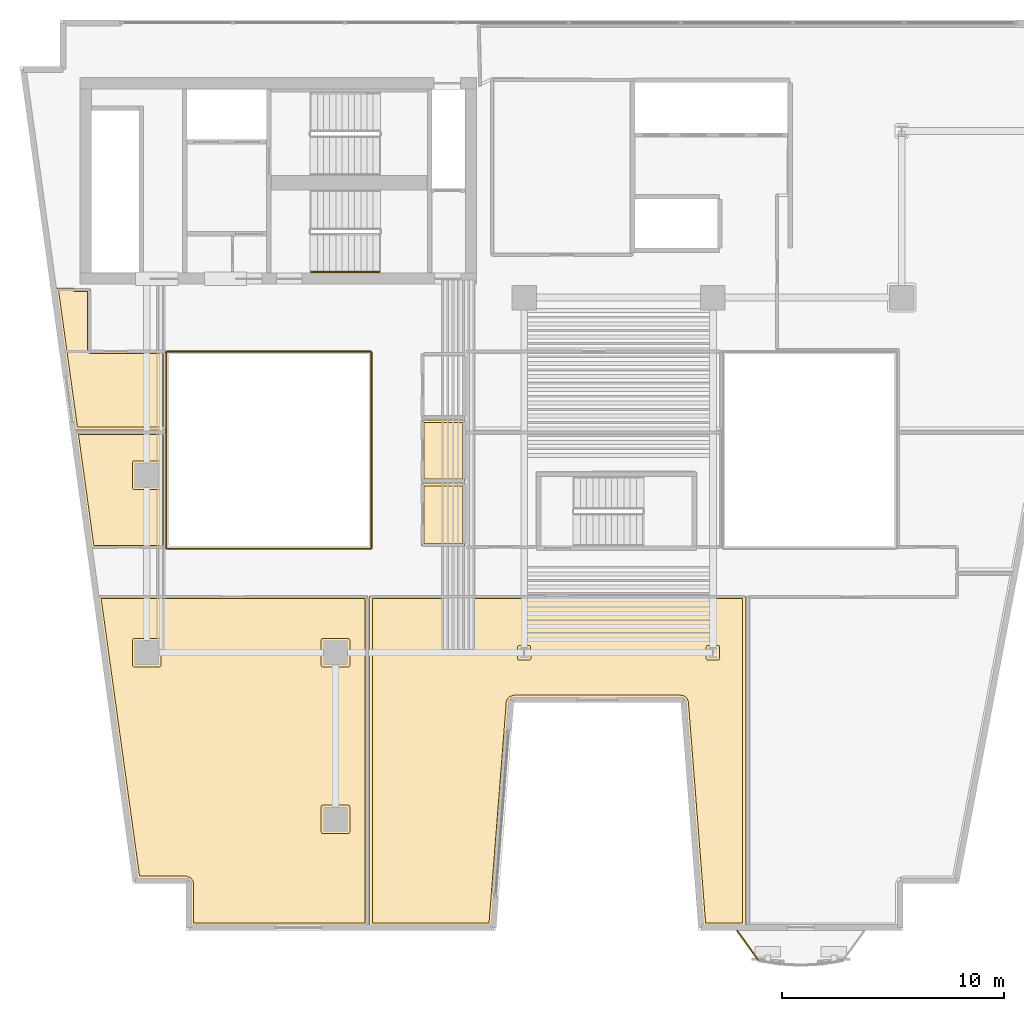
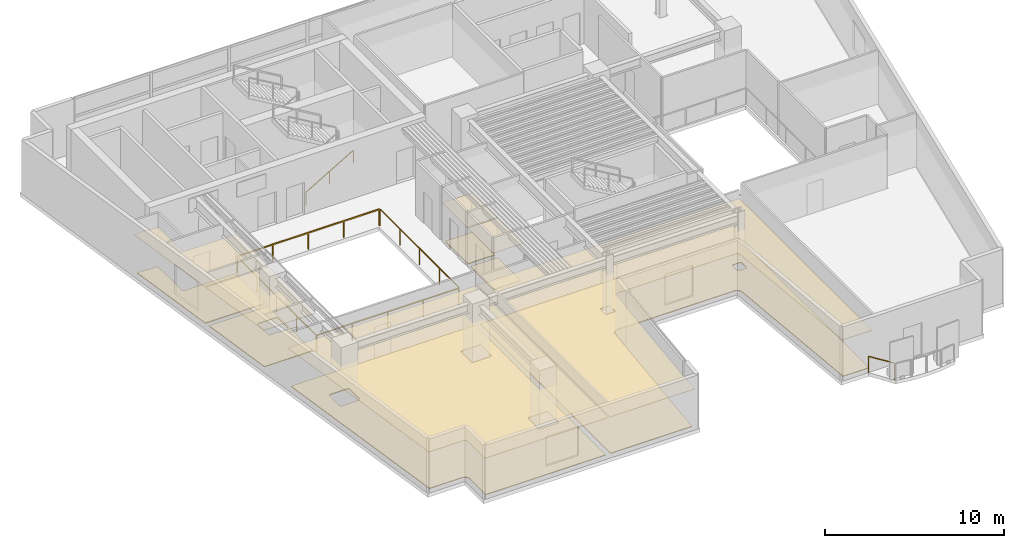
# One storey, part 9 of 13: 12 coverings, 6 railings.
"""IFC4 building model written with IfcOpenShell, lengths in metres."""

from ifc_helpers import new_model, si_unit, direction, frame, origin, origin_2d, place, context, subcontext, project, spatial, polyline, rectangle, outline, extrude, material, layer, layer_set, type_object, element, save


model = new_model("IFC4")

# Units and contexts
model_context = context("Model", 3, precision=1e-05, world=origin(), true_north=direction((0.0, 1.0)))
body_context = subcontext(model_context, "Body", "Model", "MODEL_VIEW")
ifc_project = project(units=[si_unit("LENGTHUNIT", "METRE"), si_unit("AREAUNIT", "SQUARE_METRE"), si_unit("VOLUMEUNIT", "CUBIC_METRE"), si_unit("PLANEANGLEUNIT", "RADIAN"), si_unit("MASSUNIT", "GRAM", prefix="KILO")], contexts=[model_context])

# Site, building, storey
site_placement = place(None, origin())
site = spatial("IfcSite", under=ifc_project, at=site_placement, CompositionType="ELEMENT")
building_placement = place(site_placement, origin())
building = spatial("IfcBuilding", under=site, at=building_placement, Name="Caeloran Harvest Quay", CompositionType="ELEMENT")
storey_placement = place(building_placement, frame((0.0, 0.0, 143.0)))
storey = spatial("IfcBuildingStorey", under=building, at=storey_placement, Name="L33", CompositionType="ELEMENT", Elevation=143.0)

# Coverings
ifc_material_1 = material(Name="Perforated Mineral-Fibre Acoustic Ceiling Tile", Category="ceiling")
ifc_layer_1 = layer(ifc_material_1, 0.0400390625, Name="Perforated Mineral-Fibre Acoustic Ceiling Tile")
ifc_layer_set_1 = layer_set([ifc_layer_1], Name="Perforated Mineral-Fibre Acoustic Ceiling Tile")
covering_type_1 = type_object("IfcCoveringType", Name="COV-CEILING-ACOUSTIC", PredefinedType="CEILING", material=ifc_layer_set_1)
covering_1_placement = place(storey_placement, frame((0.0, 0.0, 2.60009765625)))
element("IfcCovering", 1, at=covering_1_placement, inside=storey, type_object=covering_type_1, Name="L33 Female Washroom WC Acoustic Ceiling", PredefinedType="CEILING", context=body_context, shape_type="SweptSolid", body=[
    extrude(outline(polyline([(22.840087890625, 22.7099609375), (20.8701171875, 22.7099609375), (20.8701171875, 25.489990234375), (22.840087890625, 25.489990234375), (22.840087890625, 22.7099609375)])), origin(), (0.0, 0.0, 1.0), 0.039794921875),
])
covering_2_placement = place(storey_placement, frame((0.0, 0.0, 2.60009765625)))
element("IfcCovering", 2, at=covering_2_placement, inside=storey, type_object=covering_type_1, Name="L33 Accessible Unisex Washroom WC Acoustic Ceiling", PredefinedType="CEILING", context=body_context, shape_type="SweptSolid", body=[
    extrude(outline(polyline([(22.840087890625, 19.81005859375), (20.8701171875, 19.81005859375), (20.8701171875, 22.639892578125), (22.840087890625, 22.639892578125), (22.840087890625, 19.81005859375)])), origin(), (0.0, 0.0, 1.0), 0.039794921875),
])
covering_3_placement = place(storey_placement, frame((0.0, 0.0, 2.60009765625)))
element("IfcCovering", 3, at=covering_3_placement, inside=storey, type_object=covering_type_1, Name="Cellular Agriculture Bioprocess Laboratory Acoustic Ceiling", PredefinedType="CEILING", context=body_context, shape_type="SweptSolid", body=[
    extrude(outline(polyline([(10.452880859375, 4.72216796875), (10.373779296875, 4.7939453125), (10.26904296875, 4.820068359375), (8.0712890625, 4.820068359375), (6.309326171875, 17.56005859375), (18.4599609375, 17.56005859375), (18.4599609375, 2.719970703125), (10.489990234375, 2.719970703125), (10.489990234375, 4.59912109375), (10.452880859375, 4.72216796875)])), origin(), (0.0, 0.0, 1.0), 0.039794921875),
])
covering_4_placement = place(storey_placement, frame((0.0, 0.0, 2.60009765625)))
element("IfcCovering", 4, at=covering_4_placement, inside=storey, type_object=covering_type_1, Name="Fermentation Pilot Laboratory Acoustic Ceiling", PredefinedType="CEILING", context=body_context, shape_type="SweptSolid", body=[
    extrude(outline(polyline([(32.771484375, 12.788818359375), (32.739501953125, 12.86962890625), (32.696044921875, 12.918701171875), (32.61962890625, 12.960205078125), (32.553955078125, 12.969970703125), (25.031005859375, 12.969970703125), (24.90625, 12.931884765625), (24.83447265625, 12.850830078125), (24.810546875, 12.76611328125), (24.026611328125, 2.719970703125), (18.5400390625, 2.719970703125), (18.5400390625, 17.56005859375), (35.4599609375, 17.56005859375), (35.4599609375, 2.719970703125), (33.55859375, 2.719970703125), (32.771484375, 12.788818359375)])), origin(), (0.0, 0.0, 1.0), 0.039794921875),
])
covering_5_placement = place(storey_placement, frame((0.0, 0.0, 2.60009765625)))
element("IfcCovering", 5, at=covering_5_placement, inside=storey, type_object=covering_type_1, Name="Design Thinking Seminar Hall Acoustic Ceiling", PredefinedType="CEILING", context=body_context, shape_type="SweptSolid", body=[
    extrude(outline(polyline([(9.360107421875, 19.7099609375), (6.01220703125, 19.7099609375), (5.285888671875, 24.9599609375), (9.360107421875, 24.9599609375), (9.360107421875, 19.7099609375)])), origin(), (0.0, 0.0, 1.0), 0.039794921875),
])
covering_6_placement = place(storey_placement, frame((0.0, 0.0, 2.60009765625)))
element("IfcCovering", 6, at=covering_6_placement, inside=storey, type_object=covering_type_1, Name="Cellular Agriculture Bioprocess Laboratory 8 Acoustic Ceiling", PredefinedType="CEILING", context=body_context, shape_type="SweptSolid", body=[
    extrude(outline(polyline([(5.260009765625, 31.389892578125), (5.9599609375, 31.389892578125), (5.9599609375, 28.610107421875), (9.360107421875, 28.610107421875), (9.360107421875, 25.0400390625), (5.27490234375, 25.0400390625), (4.391357421875, 31.429931640625), (5.214599609375, 31.429931640625), (5.260009765625, 31.408447265625), (5.260009765625, 31.389892578125)])), origin(), (0.0, 0.0, 1.0), 0.039794921875),
])
ifc_material_2 = material(Name="Calcium-Sulphate Raised Access Floor and Terrazzo Finish", Category="flooring")
ifc_layer_2 = layer(ifc_material_2, 0.050048828125, Name="Calcium-Sulphate Raised Access Floor and Terrazzo Finish")
ifc_layer_set_2 = layer_set([ifc_layer_2], Name="Calcium-Sulphate Raised Access Floor and Terrazzo Finish")
covering_type_2 = type_object("IfcCoveringType", Name="COV-FLOOR-RAISED", PredefinedType="FLOORING", material=ifc_layer_set_2)
covering_7_placement = place(storey_placement, origin())
element("IfcCovering", 7, at=covering_7_placement, inside=storey, type_object=covering_type_2, Name="L33 Female Washroom WC Raised Finish Flooring", PredefinedType="FLOORING", context=body_context, shape_type="SweptSolid", body=[
    extrude(outline(polyline([(22.719970703125, 22.830078125), (20.989990234375, 22.830078125), (20.989990234375, 25.3701171875), (22.719970703125, 25.3701171875), (22.719970703125, 22.830078125)])), origin(), (0.0, 0.0, 1.0), 0.050048828125),
])
covering_8_placement = place(storey_placement, origin())
element("IfcCovering", 8, at=covering_8_placement, inside=storey, type_object=covering_type_2, Name="L33 Accessible Unisex Washroom WC Raised Finish Flooring", PredefinedType="FLOORING", context=body_context, shape_type="SweptSolid", body=[
    extrude(outline(polyline([(22.719970703125, 19.929931640625), (20.989990234375, 19.929931640625), (20.989990234375, 22.52001953125), (22.719970703125, 22.52001953125), (22.719970703125, 19.929931640625)])), origin(), (0.0, 0.0, 1.0), 0.050048828125),
])
covering_9_placement = place(storey_placement, origin())
element("IfcCovering", 9, at=covering_9_placement, inside=storey, type_object=covering_type_2, Name="Cellular Agriculture Bioprocess Laboratory Raised Finish Flooring", PredefinedType="FLOORING", context=body_context, shape_type="SweptSolid", body=[
    extrude(outline(polyline([(10.58544921875, 4.726318359375), (10.482666015625, 4.865234375), (10.29931640625, 4.938720703125), (8.17578125, 4.93994140625), (6.447021484375, 17.43994140625), (18.340087890625, 17.43994140625), (18.340087890625, 2.840087890625), (10.610107421875, 2.840087890625), (10.610107421875, 4.60009765625), (10.58544921875, 4.726318359375)]), holes=[polyline([(16.43505859375, 8.14501953125), (16.37841796875, 8.12158203125), (16.35498046875, 8.06494140625), (16.35498046875, 6.93505859375), (16.37841796875, 6.87841796875), (16.43505859375, 6.85498046875), (17.56494140625, 6.85498046875), (17.62158203125, 6.87841796875), (17.64501953125, 6.93505859375), (17.64501953125, 8.06494140625), (17.62158203125, 8.12158203125), (17.56494140625, 8.14501953125), (16.43505859375, 8.14501953125)]), polyline([(16.43505859375, 15.64501953125), (16.37841796875, 15.62158203125), (16.35498046875, 15.56494140625), (16.35498046875, 14.43505859375), (16.37841796875, 14.37841796875), (16.43505859375, 14.35498046875), (17.56494140625, 14.35498046875), (17.62158203125, 14.37841796875), (17.64501953125, 14.43505859375), (17.64501953125, 15.56494140625), (17.62158203125, 15.62158203125), (17.56494140625, 15.64501953125), (16.43505859375, 15.64501953125)]), polyline([(7.93505859375, 15.64501953125), (7.87841796875, 15.62158203125), (7.85498046875, 15.56494140625), (7.85498046875, 14.43505859375), (7.87841796875, 14.37841796875), (7.93505859375, 14.35498046875), (9.06494140625, 14.35498046875), (9.12158203125, 14.37841796875), (9.14501953125, 14.43505859375), (9.14501953125, 15.56494140625), (9.12158203125, 15.62158203125), (9.06494140625, 15.64501953125), (7.93505859375, 15.64501953125)])]), origin(), (0.0, 0.0, 1.0), 0.050048828125),
])
covering_10_placement = place(storey_placement, origin())
element("IfcCovering", 10, at=covering_10_placement, inside=storey, type_object=covering_type_2, Name="Fermentation Pilot Laboratory Raised Finish Flooring", PredefinedType="FLOORING", context=body_context, shape_type="SweptSolid", body=[
    extrude(outline(polyline([(32.89404296875, 12.776611328125), (32.85888671875, 12.902099609375), (32.795166015625, 12.990478515625), (32.68310546875, 13.06494140625), (32.55908203125, 13.08984375), (25.030029296875, 13.090087890625), (24.835693359375, 13.02880859375), (24.729736328125, 12.9091796875), (24.69091796875, 12.776611328125), (23.91552734375, 2.840087890625), (18.659912109375, 2.840087890625), (18.659912109375, 17.43994140625), (35.340087890625, 17.43994140625), (35.340087890625, 2.840087890625), (33.66943359375, 2.840087890625), (32.89404296875, 12.776611328125)]), holes=[polyline([(34.306884765625, 14.748046875), (34.288818359375, 15.302734375), (34.23486328125, 15.33154296875), (33.77294921875, 15.33203125), (33.71630859375, 15.30859375), (33.693115234375, 15.251953125), (33.693115234375, 14.748046875), (33.71630859375, 14.69140625), (33.77294921875, 14.66796875), (34.22705078125, 14.66796875), (34.28369140625, 14.69140625), (34.306884765625, 14.748046875)]), polyline([(25.806884765625, 14.748046875), (25.788818359375, 15.302734375), (25.73486328125, 15.33154296875), (25.27294921875, 15.33203125), (25.21630859375, 15.30859375), (25.193115234375, 15.251953125), (25.193115234375, 14.748046875), (25.21630859375, 14.69140625), (25.27294921875, 14.66796875), (25.72705078125, 14.66796875), (25.78369140625, 14.69140625), (25.806884765625, 14.748046875)])]), origin(), (0.0, 0.0, 1.0), 0.050048828125),
])
covering_11_placement = place(storey_placement, origin())
element("IfcCovering", 11, at=covering_11_placement, inside=storey, type_object=covering_type_2, Name="Design Thinking Seminar Hall Raised Finish Flooring", PredefinedType="FLOORING", context=body_context, shape_type="SweptSolid", body=[
    extrude(outline(polyline([(9.239990234375, 24.840087890625), (9.239990234375, 19.830078125), (6.11669921875, 19.830078125), (5.423828125, 24.840087890625), (9.239990234375, 24.840087890625)]), holes=[polyline([(9.14501953125, 23.56494140625), (9.12158203125, 23.62158203125), (9.06494140625, 23.64501953125), (7.93505859375, 23.64501953125), (7.87841796875, 23.62158203125), (7.85498046875, 23.56494140625), (7.85498046875, 22.43505859375), (7.87841796875, 22.37841796875), (7.93505859375, 22.35498046875), (9.06494140625, 22.35498046875), (9.12158203125, 22.37841796875), (9.14501953125, 22.43505859375), (9.14501953125, 23.56494140625)])]), origin(), (0.0, 0.0, 1.0), 0.050048828125),
])
covering_12_placement = place(storey_placement, origin())
element("IfcCovering", 12, at=covering_12_placement, inside=storey, type_object=covering_type_2, Name="Cellular Agriculture Bioprocess Laboratory 8 Raised Finish Flooring", PredefinedType="FLOORING", context=body_context, shape_type="SweptSolid", body=[
    extrude(outline(polyline([(5.165283203125, 31.31005859375), (5.2431640625, 31.270263671875), (5.840087890625, 31.27001953125), (5.840087890625, 28.60009765625), (5.8857421875, 28.5107421875), (5.949951171875, 28.489990234375), (9.239990234375, 28.489990234375), (9.239990234375, 25.159912109375), (5.37939453125, 25.159912109375), (4.529052734375, 31.31005859375), (5.165283203125, 31.31005859375)])), origin(), (0.0, 0.0, 1.0), 0.050048828125),
])

# Railings
ifc_material_3 = material(Name="Powder-Coated Steel Post and Laminated Glass Guardrail", Category="steel")
ifc_layer_3 = layer(ifc_material_3, 0.06005859375, Name="Powder-Coated Steel Post and Laminated Glass Guardrail")
ifc_layer_set_3 = layer_set([ifc_layer_3], Name="Powder-Coated Steel Post and Laminated Glass Guardrail")
railing_type_1 = type_object("IfcRailingType", Name="GUARD-ATRIUM-1150", PredefinedType="GUARDRAIL", material=ifc_layer_set_3)
railing_1_placement = place(storey_placement, frame((9.412109375, 19.679931640625, 0.0)))
element("IfcRailing", 13, at=railing_1_placement, inside=storey, type_object=railing_type_1, Name="L33 Skylit Atrium Void Perimeter Guardrail Seg 1", PredefinedType="GUARDRAIL", context=body_context, shape_type="SweptSolid", body=[
    extrude(rectangle(XDim=0.048095703125, YDim=0.048095703125, at=origin_2d()), frame((0.0, 0.0, 1.1259765625), z_axis=(1.0, 0.0, 0.0), x_axis=(0.0, 1.0, 0.0)), (0.0, 0.0, 1.0), 9.17578125),
    extrude(rectangle(XDim=0.0419921875, YDim=0.0419921875, at=origin_2d()), origin(), (0.0, 0.0, 1.0), 1.101806640625),
    extrude(rectangle(XDim=0.0419921875, YDim=0.0419921875, at=origin_2d()), frame((2.2939453125, 0.0, 0.0)), (0.0, 0.0, 1.0), 1.101806640625),
    extrude(rectangle(XDim=0.0419921875, YDim=0.0419921875, at=origin_2d()), frame((4.587890625, 0.0, 0.0)), (0.0, 0.0, 1.0), 1.101806640625),
    extrude(rectangle(XDim=0.0419921875, YDim=0.0419921875, at=origin_2d()), frame((6.8818359375, 0.0, 0.0)), (0.0, 0.0, 1.0), 1.101806640625),
    extrude(rectangle(XDim=0.0419921875, YDim=0.0419921875, at=origin_2d()), frame((9.17578125, 0.0, 0.0)), (0.0, 0.0, 1.0), 1.101806640625),
])
railing_2_placement = place(storey_placement, frame((18.6201171875, 19.7119140625, 0.0)))
element("IfcRailing", 14, at=railing_2_placement, inside=storey, type_object=railing_type_1, Name="L33 Skylit Atrium Void Perimeter Guardrail Seg 2", PredefinedType="GUARDRAIL", context=body_context, shape_type="SweptSolid", body=[
    extrude(rectangle(XDim=0.048095703125, YDim=0.048095703125, at=origin_2d()), frame((0.0, 0.0, 1.1259765625), z_axis=(0.0, 1.0, 0.0), x_axis=(-1.0, 0.0, 0.0)), (0.0, 0.0, 1.0), 8.826171875),
    extrude(rectangle(XDim=0.0419921875, YDim=0.0419921875, at=origin_2d()), origin(), (0.0, 0.0, 1.0), 1.101806640625),
    extrude(rectangle(XDim=0.0419921875, YDim=0.0419921875, at=origin_2d()), frame((0.0, 2.20654296875, 0.0)), (0.0, 0.0, 1.0), 1.101806640625),
    extrude(rectangle(XDim=0.0419921875, YDim=0.0419921875, at=origin_2d()), frame((0.0, 4.4130859375, 0.0)), (0.0, 0.0, 1.0), 1.101806640625),
    extrude(rectangle(XDim=0.0419921875, YDim=0.0419921875, at=origin_2d()), frame((0.0, 6.61962890625, 0.0)), (0.0, 0.0, 1.0), 1.101806640625),
    extrude(rectangle(XDim=0.0419921875, YDim=0.0419921875, at=origin_2d()), frame((0.0, 8.826171875, 0.0)), (0.0, 0.0, 1.0), 1.101806640625),
])
railing_3_placement = place(storey_placement, frame((18.587890625, 28.570068359375, 0.0)))
element("IfcRailing", 15, at=railing_3_placement, inside=storey, type_object=railing_type_1, Name="L33 Skylit Atrium Void Perimeter Guardrail Seg 3", PredefinedType="GUARDRAIL", context=body_context, shape_type="SweptSolid", body=[
    extrude(rectangle(XDim=0.048095703125, YDim=0.048095703125, at=origin_2d()), frame((0.0, 0.0, 1.1259765625), z_axis=(-1.0, 0.0, 0.0), x_axis=(0.0, -1.0, 0.0)), (0.0, 0.0, 1.0), 9.17578125),
    extrude(rectangle(XDim=0.0419921875, YDim=0.0419921875, at=origin_2d()), origin(), (0.0, 0.0, 1.0), 1.101806640625),
    extrude(rectangle(XDim=0.0419921875, YDim=0.0419921875, at=origin_2d()), frame((-2.2939453125, 0.0, 0.0)), (0.0, 0.0, 1.0), 1.101806640625),
    extrude(rectangle(XDim=0.0419921875, YDim=0.0419921875, at=origin_2d()), frame((-4.587890625, 0.0, 0.0)), (0.0, 0.0, 1.0), 1.101806640625),
    extrude(rectangle(XDim=0.0419921875, YDim=0.0419921875, at=origin_2d()), frame((-6.8818359375, 0.0, 0.0)), (0.0, 0.0, 1.0), 1.101806640625),
    extrude(rectangle(XDim=0.0419921875, YDim=0.0419921875, at=origin_2d()), frame((-9.17578125, 0.0, 0.0)), (0.0, 0.0, 1.0), 1.101806640625),
])
railing_4_placement = place(storey_placement, frame((9.3798828125, 28.5380859375, 0.0)))
element("IfcRailing", 16, at=railing_4_placement, inside=storey, type_object=railing_type_1, Name="L33 Skylit Atrium Void Perimeter Guardrail Seg 4", PredefinedType="GUARDRAIL", context=body_context, shape_type="SweptSolid", body=[
    extrude(rectangle(XDim=0.048095703125, YDim=0.048095703125, at=origin_2d()), frame((0.0, 0.0, 1.1259765625), z_axis=(0.0, -1.0, 0.0), x_axis=(1.0, 0.0, 0.0)), (0.0, 0.0, 1.0), 8.826171875),
    extrude(rectangle(XDim=0.0419921875, YDim=0.0419921875, at=origin_2d()), origin(), (0.0, 0.0, 1.0), 1.101806640625),
    extrude(rectangle(XDim=0.0419921875, YDim=0.0419921875, at=origin_2d()), frame((0.0, -2.20654296875, 0.0)), (0.0, 0.0, 1.0), 1.101806640625),
    extrude(rectangle(XDim=0.0419921875, YDim=0.0419921875, at=origin_2d()), frame((0.0, -4.4130859375, 0.0)), (0.0, 0.0, 1.0), 1.101806640625),
    extrude(rectangle(XDim=0.0419921875, YDim=0.0419921875, at=origin_2d()), frame((0.0, -6.61962890625, 0.0)), (0.0, 0.0, 1.0), 1.101806640625),
    extrude(rectangle(XDim=0.0419921875, YDim=0.0419921875, at=origin_2d()), frame((0.0, -8.826171875, 0.0)), (0.0, 0.0, 1.0), 1.101806640625),
])
ifc_material_4 = material(Name="Laminated Safety Glass and Stainless Steel 316", Category="steel")
ifc_layer_4 = layer(ifc_material_4, 0.06005859375, Name="Laminated Safety Glass and Stainless Steel 316")
ifc_layer_set_4 = layer_set([ifc_layer_4], Name="Laminated Safety Glass and Stainless Steel 316")
railing_type_2 = type_object("IfcRailingType", Name="GUARD-BALUSTRADE-1150", PredefinedType="BALUSTRADE", material=ifc_layer_set_4)
railing_5_placement = place(storey_placement, frame((36.026611328125, 1.176513671875, 0.0)))
element("IfcRailing", 17, at=railing_5_placement, inside=storey, type_object=railing_type_2, Name="L33 Planted Balcony Perimeter Balustrade Guard Seg 6", PredefinedType="BALUSTRADE", context=body_context, shape_type="SweptSolid", body=[
    extrude(rectangle(XDim=0.048095703125, YDim=0.048095703125, at=origin_2d()), frame((0.0, 0.0, 1.1259765625), z_axis=(-0.583896070669, 0.811828417005, 0.0), x_axis=(-0.811828417005, -0.583896070669, 0.0)), (0.0, 0.0, 1.0), 1.605712890625),
    extrude(rectangle(XDim=0.0419921875, YDim=0.0419921875, at=origin_2d()), origin(), (0.0, 0.0, 1.0), 1.101806640625),
    extrude(rectangle(XDim=0.0419921875, YDim=0.0419921875, at=origin_2d()), frame((-0.9375, 1.303466796875, 0.0)), (0.0, 0.0, 1.0), 1.101806640625),
])
ifc_material_5 = material(Name="Brushed Stainless Steel Grade 304", Category="steel")
ifc_layer_5 = layer(ifc_material_5, 0.050048828125, Name="Brushed Stainless Steel Grade 304")
ifc_layer_set_5 = layer_set([ifc_layer_5], Name="Brushed Stainless Steel Grade 304")
railing_type_3 = type_object("IfcRailingType", Name="STAIR-HANDRAIL-900", PredefinedType="HANDRAIL", material=ifc_layer_set_5)
railing_6_placement = place(storey_placement, frame((15.89990234375, 32.14990234375, 0.16455078125)))
element("IfcRailing", 18, at=railing_6_placement, inside=storey, type_object=railing_type_3, Name="L33 ST-C2 stair handrail 1", PredefinedType="HANDRAIL", context=body_context, shape_type="SweptSolid", body=[
    extrude(rectangle(XDim=0.048095703125, YDim=0.048095703125, at=origin_2d()), frame((0.0, 0.0, 0.8759765625), z_axis=(0.862088758681, 0.0, 0.506757310905), x_axis=(0.0, 1.0, 0.0)), (0.0, 0.0, 1.0), 3.57275390625),
    extrude(rectangle(XDim=0.0419921875, YDim=0.0419921875, at=origin_2d()), origin(), (0.0, 0.0, 1.0), 0.851806640625),
    extrude(rectangle(XDim=0.0419921875, YDim=0.0419921875, at=origin_2d()), frame((1.5400390625, 0.0, 0.9052734375)), (0.0, 0.0, 1.0), 0.851806640625),
    extrude(rectangle(XDim=0.0419921875, YDim=0.0419921875, at=origin_2d()), frame((3.080078125, 0.0, 1.810546875)), (0.0, 0.0, 1.0), 0.851806640625),
])

save(model, "model.ifc")
